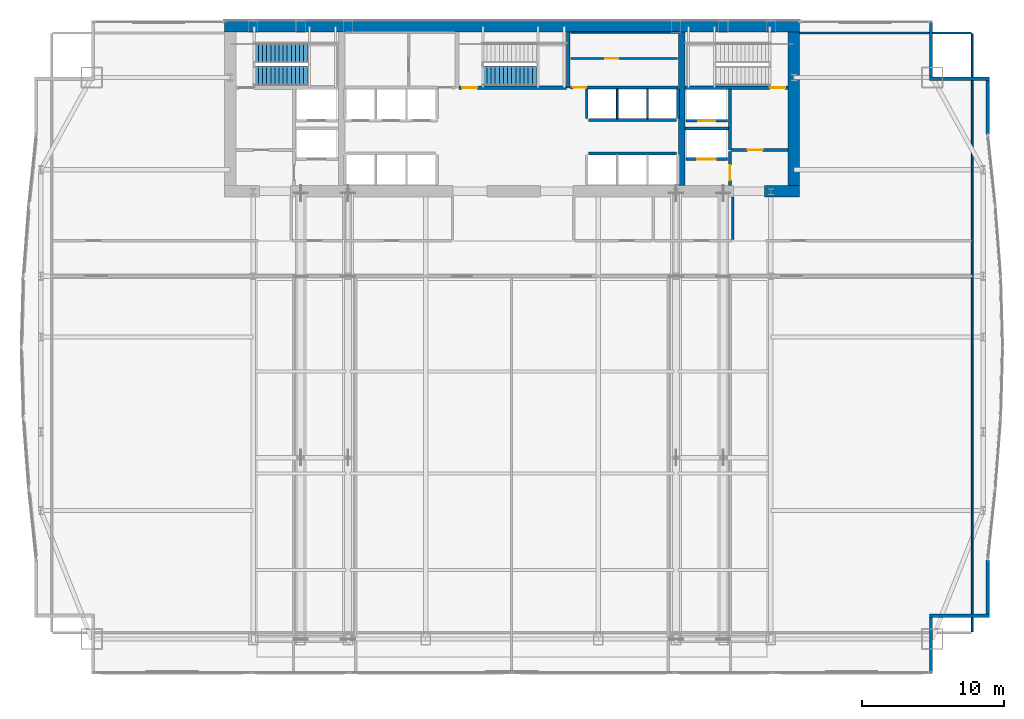
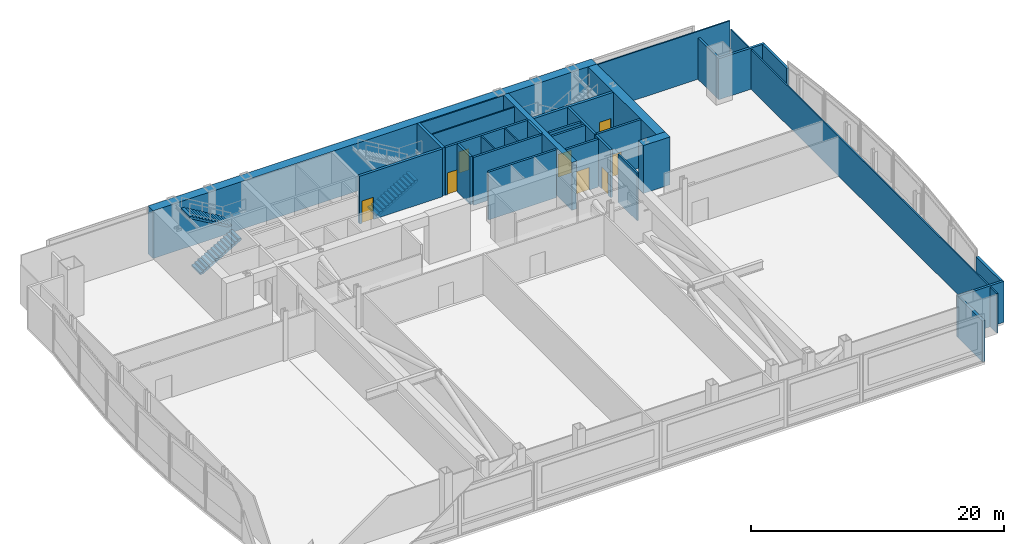
# One storey, part 28 of 32: 31 walls, 8 doors, 3 stair flights, 8 openings, 2 elements without a shape of their own.
"""IFC4 building model written with IfcOpenShell, lengths in metres."""

from ifc_helpers import new_model, si_unit, direction, frame, frame_2d, origin, place, context, subcontext, project, spatial, polyline, rectangle, outline, extrude, material, layer, layer_set, type_object, element, fill, aggregate, save


model = new_model("IFC4")

# Units and contexts
model_context = context("Model", 3, precision=1e-05, world=origin(), true_north=direction((0.0, 1.0)))
body_context = subcontext(model_context, "Body", "Model", "MODEL_VIEW")
ifc_project = project(units=[si_unit("LENGTHUNIT", "METRE"), si_unit("AREAUNIT", "SQUARE_METRE"), si_unit("VOLUMEUNIT", "CUBIC_METRE"), si_unit("PLANEANGLEUNIT", "RADIAN"), si_unit("MASSUNIT", "GRAM", prefix="KILO")], contexts=[model_context])

# Site, building, storey
site_placement = place(None, origin())
site = spatial("IfcSite", under=ifc_project, at=site_placement, CompositionType="ELEMENT")
building_placement = place(site_placement, origin())
building = spatial("IfcBuilding", under=site, at=building_placement, Name="Khoronbel Lancet Exchange", CompositionType="ELEMENT")
storey_placement = place(building_placement, frame((0.0, 0.0, 85.800048828125)))
storey = spatial("IfcBuildingStorey", under=building, at=storey_placement, Name="L20", CompositionType="ELEMENT", Elevation=85.800048828125)

# Walls
ifc_material_1 = material(Name="Concrete C80/95", Category="concrete")
ifc_layer_1 = layer(ifc_material_1, 0.800048828125, Name="Concrete C80/95")
ifc_layer_set_1 = layer_set([ifc_layer_1], Name="Concrete C80/95")
wall_type_1 = type_object("IfcWallType", Name="WL-CW1", PredefinedType="SHEAR", material=ifc_layer_set_1)
wall_1_placement = place(storey_placement, frame((16.199951171875, 53.300048828125, 0.0), z_axis=(0.0, 0.0, 1.0), x_axis=(1.0, 0.0, 0.0)))
element("IfcWall", 1, at=wall_1_placement, inside=storey, type_object=wall_type_1, Name="Level L20 rear core north shear wall", PredefinedType="SHEAR", context=body_context, shape_type="SweptSolid", body=[
    extrude(rectangle(XDim=40.5, YDim=0.800048828125, at=frame_2d((20.25, 0.0))), origin(), (0.0, 0.0, 1.0), 4.619873046875),
])
wall_2_placement = place(storey_placement, frame((56.300048828125, 52.89990234375, 0.0), z_axis=(0.0, 0.0, 1.0), x_axis=(0.0, -1.0, 0.0)))
element("IfcWall", 2, at=wall_2_placement, inside=storey, type_object=wall_type_1, Name="Level L20 rear core east shear wall", PredefinedType="SHEAR", context=body_context, shape_type="SweptSolid", body=[
    extrude(rectangle(XDim=10.7998046875, YDim=0.800048828125, at=frame_2d((5.39990234375, 0.0))), origin(), (0.0, 0.0, 1.0), 4.619873046875),
])
wall_3_placement = place(storey_placement, frame((56.699951171875, 41.699951171875, 0.0), z_axis=(0.0, 0.0, 1.0), x_axis=(-1.0, 0.0, 0.0)))
element("IfcWall", 3, at=wall_3_placement, inside=storey, type_object=wall_type_1, Name="Level L20 rear core south shear wall pier P5", PredefinedType="SHEAR", context=body_context, shape_type="SweptSolid", body=[
    extrude(rectangle(XDim=2.449951171875, YDim=0.800048828125, at=frame_2d((1.22509765625, 0.0))), origin(), (0.0, 0.0, 1.0), 4.619873046875),
])
ifc_material_2 = material(Name="Precast concrete C40/50", Category="concrete")
ifc_layer_2 = layer(ifc_material_2, 0.25, Name="Precast concrete C40/50")
ifc_layer_set_2 = layer_set([ifc_layer_2], Name="Precast concrete C40/50")
wall_type_2 = type_object("IfcWallType", Name="WL-EXT250", PredefinedType="SOLIDWALL", material=ifc_layer_set_2)
wall_4_placement = place(storey_placement, frame((65.9599609375, 53.6298828125, 0.0), z_axis=(0.0, 0.0, 1.0), x_axis=(0.0, -1.0, 0.0)))
element("IfcWall", 4, at=wall_4_placement, inside=storey, type_object=wall_type_2, Name="Level L20 notched-corner limestone pier 14", PredefinedType="SOLIDWALL", context=body_context, shape_type="SweptSolid", body=[
    extrude(rectangle(XDim=3.909912109375, YDim=0.219970703125, at=frame_2d((1.955078125, 0.0))), origin(), (0.0, 0.0, 1.0), 3.9599609375),
])
wall_5_placement = place(storey_placement, frame((65.85009765625, 49.610107421875, 0.0), z_axis=(0.0, 0.0, 1.0), x_axis=(1.0, 0.0, 0.0)))
element("IfcWall", 5, at=wall_5_placement, inside=storey, type_object=wall_type_2, Name="Level L20 notched-corner limestone pier 15", PredefinedType="SOLIDWALL", context=body_context, shape_type="SweptSolid", body=[
    extrude(rectangle(XDim=4.219970703125, YDim=0.219970703125, at=frame_2d((2.10986328125, 0.0))), origin(), (0.0, 0.0, 1.0), 3.9599609375),
])
for number, where, z_axis, x_axis, name in (
    (6, (69.9599609375, 49.5, 0.0), (0.0, 0.0, 1.0), (0.0, -1.0, 0.0), "Level L20 notched-corner limestone pier 16"),
    (7, (69.9599609375, 15.724609375, 0.0), (0.0, 0.0, 1.0), (0.0, -1.0, 0.0), "Level L20 notched-corner limestone pier 23"),
):
    element("IfcWall", number, at=place(storey_placement, frame(where, z_axis=z_axis, x_axis=x_axis)), inside=storey, type_object=wall_type_2, Name=name, PredefinedType="SOLIDWALL", context=body_context, shape_type="SweptSolid", body=[
        extrude(rectangle(XDim=3.82470703125, YDim=0.219970703125, at=frame_2d((1.912353515625, 0.0))), origin(), (0.0, 0.0, 1.0), 3.9599609375),
    ])
wall_6_placement = place(storey_placement, frame((70.070068359375, 11.7900390625, 0.0), z_axis=(0.0, 0.0, 1.0), x_axis=(-1.0, 0.0, 0.0)))
element("IfcWall", 8, at=wall_6_placement, inside=storey, type_object=wall_type_2, Name="Level L20 notched-corner limestone pier 24", PredefinedType="SOLIDWALL", context=body_context, shape_type="SweptSolid", body=[
    extrude(rectangle(XDim=4.219970703125, YDim=0.219970703125, at=frame_2d((2.10986328125, 0.0))), origin(), (0.0, 0.0, 1.0), 3.9599609375),
])
wall_7_placement = place(storey_placement, frame((65.9599609375, 11.679931640625, 0.0), z_axis=(0.0, 0.0, 1.0), x_axis=(0.0, -1.0, 0.0)))
element("IfcWall", 9, at=wall_7_placement, inside=storey, type_object=wall_type_2, Name="Level L20 notched-corner limestone pier 25", PredefinedType="SOLIDWALL", context=body_context, shape_type="SweptSolid", body=[
    extrude(rectangle(XDim=3.909912109375, YDim=0.219970703125, at=frame_2d((1.955078125, 0.0))), origin(), (0.0, 0.0, 1.0), 3.9599609375),
])
ifc_material_3 = material(Name="Acoustic Metal-Stud & Mineral-Wool Gypsum Partition 120 mm", Category="gypsum")
ifc_layer_3 = layer(ifc_material_3, 0.1201171875, Name="Acoustic Metal-Stud & Mineral-Wool Gypsum Partition 120 mm")
ifc_layer_set_3 = layer_set([ifc_layer_3], Name="Acoustic Metal-Stud & Mineral-Wool Gypsum Partition 120 mm")
wall_type_3 = type_object("IfcWallType", Name="WL-PRT120", PredefinedType="PARTITIONING", material=ifc_layer_set_3)
wall_8_placement = place(storey_placement, frame((52.0, 38.280029296875, 0.0), z_axis=(0.0, 0.0, 1.0), x_axis=(0.0, 1.0, 0.0)))
element("IfcWall", 10, at=wall_8_placement, inside=storey, type_object=wall_type_3, Name="Level L20 interior partition PW-RF-NE3", PredefinedType="PARTITIONING", context=body_context, shape_type="SweptSolid", body=[
    extrude(rectangle(XDim=3.02001953125, YDim=0.14990234375, at=frame_2d((1.510009765625, 0.0))), origin(), (0.0, 0.0, 1.0), 4.619873046875),
])
wall_9_placement = place(storey_placement, frame((68.8701171875, 10.6650390625, 0.0), z_axis=(0.0, 0.0, 1.0), x_axis=(0.0, 1.0, 0.0)))
element("IfcWall", 11, at=wall_9_placement, inside=storey, type_object=wall_type_3, Name="Level L20 interior partition PW-LIN-E", PredefinedType="PARTITIONING", context=body_context, shape_type="SweptSolid", body=[
    extrude(rectangle(XDim=42.10986328125, YDim=0.1201171875, at=frame_2d((21.054931640625, 0.0))), origin(), (0.0, 0.0, 1.0), 3.81005859375),
])
wall_10_placement = place(storey_placement, frame((56.699951171875, 52.840087890625, 0.0), z_axis=(0.0, 0.0, 1.0), x_axis=(1.0, 0.0, 0.0)))
element("IfcWall", 12, at=wall_10_placement, inside=storey, type_object=wall_type_3, Name="Level L20 interior partition PW-LIN-NE", PredefinedType="PARTITIONING", context=body_context, shape_type="SweptSolid", body=[
    extrude(rectangle(XDim=12.10498046875, YDim=0.1201171875, at=frame_2d((6.052490234375, 0.0))), origin(), (0.0, 0.0, 1.0), 4.619873046875),
])
ifc_material_4 = material(Name="Fire-Rated Metal-Stud & Mineral-Wool Gypsum Partition 120 mm", Category="gypsum")
ifc_layer_4 = layer(ifc_material_4, 0.1201171875, Name="Fire-Rated Metal-Stud & Mineral-Wool Gypsum Partition 120 mm")
ifc_layer_set_4 = layer_set([ifc_layer_4], Name="Fire-Rated Metal-Stud & Mineral-Wool Gypsum Partition 120 mm")
wall_type_4 = type_object("IfcWallType", Name="WL-PRT120F", PredefinedType="PARTITIONING", material=ifc_layer_set_4)
for number, where, z_axis, x_axis, name in (
    (13, (43.860107421875, 46.804931640625, 0.0), (0.0, 0.0, 1.0), (0.0, 1.0, 0.0), "Level L20 interior partition CW-PH-D1"),
    (14, (46.0, 46.804931640625, 0.0), (0.0, 0.0, 1.0), (0.0, 1.0, 0.0), "Level L20 interior partition CW-PH-D2"),
):
    element("IfcWall", number, at=place(storey_placement, frame(where, z_axis=z_axis, x_axis=x_axis)), inside=storey, type_object=wall_type_4, Name=name, PredefinedType="PARTITIONING", context=body_context, shape_type="SweptSolid", body=[
        extrude(rectangle(XDim=2.090087890625, YDim=0.1201171875, at=frame_2d((1.044921875, 0.0))), origin(), (0.0, 0.0, 1.0), 4.619873046875),
    ])
wall_11_placement = place(storey_placement, frame((40.580078125, 52.860107421875, 0.0), z_axis=(0.0, 0.0, 1.0), x_axis=(1.0, 0.0, 0.0)))
element("IfcWall", 15, at=wall_11_placement, inside=storey, type_object=wall_type_4, Name="Level L20 interior partition CW-SUP-NE-N", PredefinedType="PARTITIONING", context=body_context, shape_type="SweptSolid", body=[
    extrude(rectangle(XDim=7.559814453125, YDim=0.1201171875, at=frame_2d((3.77978515625, 0.0))), origin(), (0.0, 0.0, 1.0), 4.619873046875),
])

# Wall, opening, door
wall_12_placement = place(storey_placement, frame((40.6298828125, 51.0400390625, 0.0), z_axis=(0.0, 0.0, 1.0), x_axis=(1.0, 0.0, 0.0)))
wall_12 = element("IfcWall", 16, at=wall_12_placement, inside=storey, type_object=wall_type_4, Name="Level L20 interior partition CW-SUP-NE-H", PredefinedType="PARTITIONING", context=body_context, shape_type="SweptSolid", body=[
    extrude(rectangle(XDim=7.460205078125, YDim=0.1201171875, at=frame_2d((3.72998046875, 0.0))), origin(), (0.0, 0.0, 1.0), 4.619873046875),
])
opening_1_placement = place(wall_12_placement, frame((2.39990234375, 0.0, 0.0)))
opening_1 = element("IfcOpeningElement", 17, at=opening_1_placement, cuts=wall_12, Name="Opening FD4", PredefinedType="OPENING", context=body_context, shape_type="SweptSolid", body=[
    extrude(rectangle(XDim=0.89990234375, YDim=2.050048828125, at=frame_2d((0.449951171875, 1.02490234375))), frame((0.0, 0.070068359375, 0.0), z_axis=(0.0, -1.0, 0.0), x_axis=(1.0, 0.0, 0.0)), (0.0, 0.0, 1.0), 0.14013671875),
])
ifc_material_5 = material(Name="Fire-Rated Steel Core Support Door Assembly", Category="steel")
door_type_1 = type_object("IfcDoorType", Name="DR-FD4", OperationType="NOTDEFINED", PredefinedType="DOOR", material=ifc_material_5)
door_1_placement = place(opening_1_placement, origin())
door_1 = element("IfcDoor", 18, at=door_1_placement, inside=storey, type_object=door_type_1, Name="Core NE north store door L20-1", OperationType="SINGLE_SWING_LEFT", OverallHeight=2.050048828125, OverallWidth=0.89990234375, PredefinedType="DOOR", context=body_context, shape_type="SweptSolid", body=[
    extrude(rectangle(XDim=0.89990234375, YDim=2.050048828125, at=frame_2d((0.449951171875, 1.02490234375))), frame((0.0, 0.02490234375, 0.0), z_axis=(0.0, -1.0, 0.0), x_axis=(1.0, 0.0, 0.0)), (0.0, 0.0, 1.0), 0.050048828125),
])
fill(opening_1, door_1)

ifc_material_6 = material(Name="Autoclaved Aerated Concrete Blockwork 200 mm", Category="masonry")
ifc_layer_5 = layer(ifc_material_6, 0.199951171875, Name="Autoclaved Aerated Concrete Blockwork 200 mm")
ifc_layer_set_5 = layer_set([ifc_layer_5], Name="Autoclaved Aerated Concrete Blockwork 200 mm")
wall_type_5 = type_object("IfcWallType", Name="WL-PRT200", PredefinedType="PARTITIONING", material=ifc_layer_set_5)
wall_13_placement = place(storey_placement, frame((51.610107421875, 43.949951171875, 0.0), z_axis=(0.0, 0.0, 1.0), x_axis=(-1.0, 0.0, 0.0)))
wall_13 = element("IfcWall", 19, at=wall_13_placement, inside=storey, type_object=wall_type_5, Name="Level L20 elevator hoistway landing front wall SVLE", PredefinedType="PARTITIONING", context=body_context, shape_type="SweptSolid", body=[
    extrude(rectangle(XDim=2.920166015625, YDim=0.199951171875, at=frame_2d((1.4599609375, 0.0))), origin(), (0.0, 0.0, 1.0), 4.619873046875),
])
opening_2_placement = place(wall_13_placement, frame((0.81005859375, 0.0, 0.0)))
opening_2 = element("IfcOpeningElement", 20, at=opening_2_placement, cuts=wall_13, Name="Opening LD-SVL2", PredefinedType="OPENING", context=body_context, shape_type="SweptSolid", body=[
    extrude(rectangle(XDim=1.300048828125, YDim=2.179931640625, at=frame_2d((0.64990234375, 1.08984375))), frame((0.0, 0.10986328125, 0.0), z_axis=(0.0, -1.0, 0.0), x_axis=(1.0, 0.0, 0.0)), (0.0, 0.0, 1.0), 0.219970703125),
])
ifc_material_7 = material(Name="Heavy-Duty Bi-Parting Goods Lift Landing Door", Category="steel")
door_type_2 = type_object("IfcDoorType", Name="DR-LD-SVL", OperationType="NOTDEFINED", PredefinedType="DOOR", material=ifc_material_7)
door_2_placement = place(opening_2_placement, origin())
door_2 = element("IfcDoor", 21, at=door_2_placement, inside=storey, type_object=door_type_2, Name="Elevator landing sliding door LD-SVL2 L20", OperationType="SLIDING_TO_LEFT", OverallHeight=2.179931640625, OverallWidth=1.300048828125, PredefinedType="DOOR", context=body_context, shape_type="SweptSolid", body=[
    extrude(rectangle(XDim=1.300048828125, YDim=2.179931640625, at=frame_2d((0.64990234375, 1.08984375))), frame((0.0, 0.02490234375, 0.0), z_axis=(0.0, -1.0, 0.0), x_axis=(1.0, 0.0, 0.0)), (0.0, 0.0, 1.0), 0.050048828125),
])
fill(opening_2, door_2)

wall_14_placement = place(storey_placement, frame((51.610107421875, 46.64990234375, 0.0), z_axis=(0.0, 0.0, 1.0), x_axis=(-1.0, 0.0, 0.0)))
wall_14 = element("IfcWall", 22, at=wall_14_placement, inside=storey, type_object=wall_type_5, Name="Level L20 elevator hoistway landing front wall FFLE", PredefinedType="PARTITIONING", context=body_context, shape_type="SweptSolid", body=[
    extrude(rectangle(XDim=2.920166015625, YDim=0.199951171875, at=frame_2d((1.4599609375, 0.0))), origin(), (0.0, 0.0, 1.0), 4.619873046875),
])
opening_3_placement = place(wall_14_placement, frame((0.860107421875, 0.0, 0.0)))
opening_3 = element("IfcOpeningElement", 23, at=opening_3_placement, cuts=wall_14, Name="Opening LD-FFL2", PredefinedType="OPENING", context=body_context, shape_type="SweptSolid", body=[
    extrude(rectangle(XDim=1.199951171875, YDim=2.179931640625, at=frame_2d((0.60009765625, 1.08984375))), frame((0.0, 0.10986328125, 0.0), z_axis=(0.0, -1.0, 0.0), x_axis=(1.0, 0.0, 0.0)), (0.0, 0.0, 1.0), 0.219970703125),
])
ifc_material_8 = material(Name="Fire-Rated Stainless Bi-Parting Firefighting Lift Door", Category="steel")
door_type_3 = type_object("IfcDoorType", Name="DR-LD-FFL", OperationType="NOTDEFINED", PredefinedType="DOOR", material=ifc_material_8)
door_3_placement = place(opening_3_placement, origin())
door_3 = element("IfcDoor", 24, at=door_3_placement, inside=storey, type_object=door_type_3, Name="Elevator landing sliding door LD-FFL2 L20", OperationType="SLIDING_TO_LEFT", OverallHeight=2.179931640625, OverallWidth=1.199951171875, PredefinedType="DOOR", context=body_context, shape_type="SweptSolid", body=[
    extrude(rectangle(XDim=1.199951171875, YDim=2.179931640625, at=frame_2d((0.60009765625, 1.08984375))), frame((0.0, 0.02490234375, 0.0), z_axis=(0.0, -1.0, 0.0), x_axis=(1.0, 0.0, 0.0)), (0.0, 0.0, 1.0), 0.050048828125),
])
fill(opening_3, door_3)

# Wall
wall_15_placement = place(storey_placement, frame((51.800048828125, 44.60009765625, 0.0), z_axis=(0.0, 0.0, 1.0), x_axis=(0.0, 1.0, 0.0)))
element("IfcWall", 25, at=wall_15_placement, inside=storey, type_object=wall_type_5, Name="Level L20 interior partition CW-FFLE-W", PredefinedType="PARTITIONING", context=body_context, shape_type="SweptSolid", body=[
    extrude(rectangle(XDim=4.2998046875, YDim=0.199951171875, at=frame_2d((2.14990234375, 0.0))), origin(), (0.0, 0.0, 1.0), 4.619873046875),
])

# Wall, opening, door
wall_16_placement = place(storey_placement, frame((51.89990234375, 44.60009765625, 0.0), z_axis=(0.0, 0.0, 1.0), x_axis=(1.0, 0.0, 0.0)))
wall_16 = element("IfcWall", 26, at=wall_16_placement, inside=storey, type_object=wall_type_5, Name="Level L20 interior partition CW-FFLE-S", PredefinedType="PARTITIONING", context=body_context, shape_type="SweptSolid", body=[
    extrude(rectangle(XDim=4.0, YDim=0.199951171875, at=frame_2d((2.0, 0.0))), origin(), (0.0, 0.0, 1.0), 4.619873046875),
])
opening_4_placement = place(wall_16_placement, frame((1.14990234375, 0.0, 0.0)))
opening_4 = element("IfcOpeningElement", 27, at=opening_4_placement, cuts=wall_16, Name="Opening FD1", PredefinedType="OPENING", context=body_context, shape_type="SweptSolid", body=[
    extrude(rectangle(XDim=1.050048828125, YDim=2.14990234375, at=frame_2d((0.52490234375, 1.074951171875))), frame((0.0, 0.10986328125, 0.0), z_axis=(0.0, -1.0, 0.0), x_axis=(1.0, 0.0, 0.0)), (0.0, 0.0, 1.0), 0.219970703125),
])
ifc_material_9 = material(Name="Fire-Rated Painted Steel Door Assembly", Category="steel")
door_type_4 = type_object("IfcDoorType", Name="DR-FD1", OperationType="NOTDEFINED", PredefinedType="DOOR", material=ifc_material_9)
door_4_placement = place(opening_4_placement, origin())
door_4 = element("IfcDoor", 28, at=door_4_placement, inside=storey, type_object=door_type_4, Name="East firefighting lobby FD90S door L20-1", OperationType="SINGLE_SWING_RIGHT", OverallHeight=2.14990234375, OverallWidth=1.050048828125, PredefinedType="DOOR", context=body_context, shape_type="SweptSolid", body=[
    extrude(rectangle(XDim=1.050048828125, YDim=2.14990234375, at=frame_2d((0.52490234375, 1.074951171875))), frame((0.0, 0.02490234375, 0.0), z_axis=(0.0, -1.0, 0.0), x_axis=(1.0, 0.0, 0.0)), (0.0, 0.0, 1.0), 0.050048828125),
])
fill(opening_4, door_4)

# Wall
wall_17_placement = place(storey_placement, frame((48.6298828125, 46.1201171875, 0.0), z_axis=(0.0, 0.0, 1.0), x_axis=(1.0, 0.0, 0.0)))
element("IfcWall", 29, at=wall_17_placement, inside=storey, type_object=wall_type_5, Name="Level L20 interior partition CW-FFL2-S", PredefinedType="PARTITIONING", context=body_context, shape_type="SweptSolid", body=[
    extrude(rectangle(XDim=3.070068359375, YDim=0.199951171875, at=frame_2d((1.53515625, 0.0))), origin(), (0.0, 0.0, 1.0), 4.619873046875),
])

# Wall, opening, door
wall_18_placement = place(storey_placement, frame((51.800048828125, 42.10009765625, 0.0), z_axis=(0.0, 0.0, 1.0), x_axis=(0.0, 1.0, 0.0)))
wall_18 = element("IfcWall", 30, at=wall_18_placement, inside=storey, type_object=wall_type_5, Name="Level L20 interior partition CW-SVLE-E", PredefinedType="PARTITIONING", context=body_context, shape_type="SweptSolid", body=[
    extrude(rectangle(XDim=2.39501953125, YDim=0.199951171875, at=frame_2d((1.197509765625, 0.0))), origin(), (0.0, 0.0, 1.0), 4.619873046875),
])
opening_5_placement = place(wall_18_placement, frame((0.3798828125, 0.0, 0.0)))
opening_5 = element("IfcOpeningElement", 31, at=opening_5_placement, cuts=wall_18, Name="Opening FD1", PredefinedType="OPENING", context=body_context, shape_type="SweptSolid", body=[
    extrude(rectangle(XDim=1.050048828125, YDim=2.14990234375, at=frame_2d((0.52490234375, 1.074951171875))), frame((0.0, 0.10986328125, 0.0), z_axis=(0.0, -1.0, 0.0), x_axis=(1.0, 0.0, 0.0)), (0.0, 0.0, 1.0), 0.219970703125),
])
door_5_placement = place(opening_5_placement, origin())
door_5 = element("IfcDoor", 32, at=door_5_placement, inside=storey, type_object=door_type_4, Name="East service lift lobby door L20-1", OperationType="SINGLE_SWING_LEFT", OverallHeight=2.14990234375, OverallWidth=1.050048828125, PredefinedType="DOOR", context=body_context, shape_type="SweptSolid", body=[
    extrude(rectangle(XDim=1.050048828125, YDim=2.14990234375, at=frame_2d((0.52490234375, 1.074951171875))), frame((0.0, 0.02490234375, 0.0), z_axis=(0.0, -1.0, 0.0), x_axis=(1.0, 0.0, 0.0)), (0.0, 0.0, 1.0), 0.050048828125),
])
fill(opening_5, door_5)

# Walls
wall_19_placement = place(storey_placement, frame((41.824951171875, 46.699951171875, 0.0), z_axis=(0.0, 0.0, 1.0), x_axis=(1.0, 0.0, 0.0)))
element("IfcWall", 33, at=wall_19_placement, inside=storey, type_object=wall_type_5, Name="Level L20 interior partition CW-PH-EXP", PredefinedType="PARTITIONING", context=body_context, shape_type="SweptSolid", body=[
    extrude(rectangle(XDim=6.2099609375, YDim=0.199951171875, at=frame_2d((3.10498046875, 0.0))), origin(), (0.0, 0.0, 1.0), 4.619873046875),
])
for number, where, z_axis, x_axis, name in (
    (34, (41.719970703125, 46.804931640625, 0.0), (0.0, 0.0, 1.0), (0.0, 1.0, 0.0), "Level L20 interior partition CW-PH-W"),
    (35, (48.139892578125, 46.804931640625, 0.0), (0.0, 0.0, 1.0), (0.0, 1.0, 0.0), "Level L20 interior partition CW-PH-E"),
):
    element("IfcWall", number, at=place(storey_placement, frame(where, z_axis=z_axis, x_axis=x_axis)), inside=storey, type_object=wall_type_5, Name=name, PredefinedType="PARTITIONING", context=body_context, shape_type="SweptSolid", body=[
        extrude(rectangle(XDim=2.090087890625, YDim=0.199951171875, at=frame_2d((1.044921875, 0.0))), origin(), (0.0, 0.0, 1.0), 4.619873046875),
    ])
wall_20_placement = place(storey_placement, frame((41.824951171875, 44.35009765625, 0.0), z_axis=(0.0, 0.0, 1.0), x_axis=(1.0, 0.0, 0.0)))
element("IfcWall", 36, at=wall_20_placement, inside=storey, type_object=wall_type_5, Name="Level L20 interior partition CW-PX-EXP", PredefinedType="PARTITIONING", context=body_context, shape_type="SweptSolid", body=[
    extrude(rectangle(XDim=6.2099609375, YDim=0.199951171875, at=frame_2d((3.10498046875, 0.0))), origin(), (0.0, 0.0, 1.0), 4.619873046875),
])

# Wall, opening, door
wall_21_placement = place(storey_placement, frame((40.580078125, 49.0, 0.0), z_axis=(0.0, 0.0, 1.0), x_axis=(1.0, 0.0, 0.0)))
wall_21 = element("IfcWall", 37, at=wall_21_placement, inside=storey, type_object=wall_type_5, Name="Level L20 interior partition CW-SUP-NE-S", PredefinedType="PARTITIONING", context=body_context, shape_type="SweptSolid", body=[
    extrude(rectangle(XDim=7.559814453125, YDim=0.199951171875, at=frame_2d((3.77978515625, 0.0))), origin(), (0.0, 0.0, 1.0), 4.619873046875),
])
opening_6_placement = place(wall_21_placement, frame((0.159912109375, 0.0, 0.0)))
opening_6 = element("IfcOpeningElement", 38, at=opening_6_placement, cuts=wall_21, Name="Opening FD3", PredefinedType="OPENING", context=body_context, shape_type="SweptSolid", body=[
    extrude(rectangle(XDim=0.949951171875, YDim=2.10009765625, at=frame_2d((0.47509765625, 1.050048828125))), frame((0.0, 0.10986328125, 0.0), z_axis=(0.0, -1.0, 0.0), x_axis=(1.0, 0.0, 0.0)), (0.0, 0.0, 1.0), 0.219970703125),
])
ifc_material_10 = material(Name="Fire-Rated Steel Plant & Riser Door Assembly", Category="steel")
door_type_5 = type_object("IfcDoorType", Name="DR-FD3", OperationType="NOTDEFINED", PredefinedType="DOOR", material=ifc_material_10)
door_6_placement = place(opening_6_placement, origin())
door_6 = element("IfcDoor", 39, at=door_6_placement, inside=storey, type_object=door_type_5, Name="Core NE support room door L20-1", OperationType="SINGLE_SWING_RIGHT", OverallHeight=2.10009765625, OverallWidth=0.949951171875, PredefinedType="DOOR", context=body_context, shape_type="SweptSolid", body=[
    extrude(rectangle(XDim=0.949951171875, YDim=2.10009765625, at=frame_2d((0.47509765625, 1.050048828125))), frame((0.0, 0.02490234375, 0.0), z_axis=(0.0, -1.0, 0.0), x_axis=(1.0, 0.0, 0.0)), (0.0, 0.0, 1.0), 0.050048828125),
])
fill(opening_6, door_6)

# Walls
ifc_layer_6 = layer(ifc_material_1, 0.449951171875, Name="Concrete C80/95")
ifc_layer_set_6 = layer_set([ifc_layer_6], Name="Concrete C80/95")
wall_type_6 = type_object("IfcWallType", Name="WL-SW1", PredefinedType="SHEAR", material=ifc_layer_set_6)
wall_22_placement = place(storey_placement, frame((48.39990234375, 42.10009765625, 0.0), z_axis=(0.0, 0.0, 1.0), x_axis=(0.0, 1.0, 0.0)))
element("IfcWall", 40, at=wall_22_placement, inside=storey, type_object=wall_type_6, Name="Level L20 rear core internal spine shear wall IE", PredefinedType="SHEAR", context=body_context, shape_type="SweptSolid", body=[
    extrude(rectangle(XDim=10.7998046875, YDim=0.449951171875, at=frame_2d((5.39990234375, 0.0))), origin(), (0.0, 0.0, 1.0), 4.619873046875),
])
ifc_material_11 = material(Name="Concrete C60/75", Category="concrete")
ifc_layer_7 = layer(ifc_material_11, 0.260009765625, Name="Concrete C60/75")
ifc_layer_set_7 = layer_set([ifc_layer_7], Name="Concrete C60/75")
wall_type_7 = type_object("IfcWallType", Name="WL-SW3", PredefinedType="SHEAR", material=ifc_layer_set_7)
wall_23_placement = place(storey_placement, frame((40.419921875, 48.949951171875, 0.0), z_axis=(0.0, 0.0, 1.0), x_axis=(0.0, 1.0, 0.0)))
element("IfcWall", 41, at=wall_23_placement, inside=storey, type_object=wall_type_7, Name="Level L20 central stairwell structural shear wall ST3E", PredefinedType="SHEAR", context=body_context, shape_type="SweptSolid", body=[
    extrude(rectangle(XDim=3.949951171875, YDim=0.260009765625, at=frame_2d((1.97509765625, 0.0))), origin(), (0.0, 0.0, 1.0), 4.619873046875),
])

# Wall, opening, door
wall_24_placement = place(storey_placement, frame((48.6298828125, 48.97998046875, 0.0), z_axis=(0.0, 0.0, 1.0), x_axis=(1.0, 0.0, 0.0)))
wall_24 = element("IfcWall", 42, at=wall_24_placement, inside=storey, type_object=wall_type_7, Name="Level L20 east stairwell structural south wall", PredefinedType="SHEAR", context=body_context, shape_type="SweptSolid", body=[
    extrude(rectangle(XDim=7.27001953125, YDim=0.239990234375, at=frame_2d((3.635009765625, 0.0))), origin(), (0.0, 0.0, 1.0), 4.619873046875),
])
opening_7_placement = place(wall_24_placement, frame((6.0, 0.0, 0.0)))
opening_7 = element("IfcOpeningElement", 43, at=opening_7_placement, cuts=wall_24, Name="Opening SD1", PredefinedType="OPENING", context=body_context, shape_type="SweptSolid", body=[
    extrude(rectangle(XDim=1.050048828125, YDim=2.14990234375, at=frame_2d((0.52490234375, 1.074951171875))), frame((0.0, 0.1298828125, 0.0), z_axis=(0.0, -1.0, 0.0), x_axis=(1.0, 0.0, 0.0)), (0.0, 0.0, 1.0), 0.260009765625),
])
ifc_material_12 = material(Name="Fire-Rated Steel Stairwell Door Assembly", Category="steel")
door_type_6 = type_object("IfcDoorType", Name="DR-SD1", OperationType="NOTDEFINED", PredefinedType="DOOR", material=ifc_material_12)
door_7_placement = place(opening_7_placement, origin())
door_7 = element("IfcDoor", 44, at=door_7_placement, inside=storey, type_object=door_type_6, Name="Protected exit stair ST2 door L20", OperationType="SINGLE_SWING_RIGHT", OverallHeight=2.14990234375, OverallWidth=1.050048828125, PredefinedType="DOOR", context=body_context, shape_type="SweptSolid", body=[
    extrude(rectangle(XDim=1.050048828125, YDim=2.14990234375, at=frame_2d((0.52490234375, 1.074951171875))), frame((0.0, 0.02490234375, 0.0), z_axis=(0.0, -1.0, 0.0), x_axis=(1.0, 0.0, 0.0)), (0.0, 0.0, 1.0), 0.050048828125),
])
fill(opening_7, door_7)

wall_25_placement = place(storey_placement, frame((32.719970703125, 48.97998046875, 0.0), z_axis=(0.0, 0.0, 1.0), x_axis=(1.0, 0.0, 0.0)))
wall_25 = element("IfcWall", 45, at=wall_25_placement, inside=storey, type_object=wall_type_7, Name="Level L20 central stairwell structural south wall", PredefinedType="SHEAR", context=body_context, shape_type="SweptSolid", body=[
    extrude(rectangle(XDim=7.56005859375, YDim=0.239990234375, at=frame_2d((3.780029296875, 0.0))), origin(), (0.0, 0.0, 1.0), 4.619873046875),
])
opening_8_placement = place(wall_25_placement, frame((0.219970703125, 0.0, 0.0)))
opening_8 = element("IfcOpeningElement", 46, at=opening_8_placement, cuts=wall_25, Name="Opening SD1", PredefinedType="OPENING", context=body_context, shape_type="SweptSolid", body=[
    extrude(rectangle(XDim=1.050048828125, YDim=2.14990234375, at=frame_2d((0.52490234375, 1.074951171875))), frame((0.0, 0.1298828125, 0.0), z_axis=(0.0, -1.0, 0.0), x_axis=(1.0, 0.0, 0.0)), (0.0, 0.0, 1.0), 0.260009765625),
])
door_8_placement = place(opening_8_placement, origin())
door_8 = element("IfcDoor", 47, at=door_8_placement, inside=storey, type_object=door_type_6, Name="Protected exit stair ST3 door L20", OperationType="SINGLE_SWING_LEFT", OverallHeight=2.14990234375, OverallWidth=1.050048828125, PredefinedType="DOOR", context=body_context, shape_type="SweptSolid", body=[
    extrude(rectangle(XDim=1.050048828125, YDim=2.14990234375, at=frame_2d((0.52490234375, 1.074951171875))), frame((0.0, 0.02490234375, 0.0), z_axis=(0.0, -1.0, 0.0), x_axis=(1.0, 0.0, 0.0)), (0.0, 0.0, 1.0), 0.050048828125),
])
fill(opening_8, door_8)

# Stair, stair flights
ifc_material_13 = material(Name="Concrete C40/50", Category="concrete")
stair_type = type_object("IfcStairType", Name="STR-CORE150", PredefinedType="HALF_TURN_STAIR", material=ifc_material_13)
stair_1_placement = place(storey_placement, origin())
stair_1 = element("IfcStair", 48, at=stair_1_placement, inside=storey, type_object=stair_type, Name="L20 Protected Exit Stair ST1", PredefinedType="HALF_TURN_STAIR")
stair_flight_type = type_object("IfcStairFlightType", Name="STF-150", PredefinedType="STRAIGHT", material=ifc_material_13)
stair_flight_1_placement = place(storey_placement, frame((18.300048828125, 49.81005859375, 0.0), z_axis=(0.0, 0.0, 1.0), x_axis=(1.0, 0.0, 0.0)))
stair_flight_1 = element("IfcStairFlight", 49, at=stair_flight_1_placement, type_object=stair_flight_type, Name="ST1 flight 1", NumberOfRisers=14, NumberOfTreads=13, PredefinedType="STRAIGHT", RiserHeight=0.171428571, TreadLength=0.29, context=body_context, shape_type="SweptSolid", body=[
    extrude(outline(polyline([(0.0, 0.0), (0.0, 0.17138671875), (0.2900390625, 0.17138671875), (0.2900390625, 0.3427734375), (0.580078125, 0.3427734375), (0.580078125, 0.514404296875), (0.8701171875, 0.514404296875), (0.8701171875, 0.685791015625), (1.159912109375, 0.685791015625), (1.159912109375, 0.857177734375), (1.449951171875, 0.857177734375), (1.449951171875, 1.028564453125), (1.739990234375, 1.028564453125), (1.739990234375, 1.199951171875), (2.030029296875, 1.199951171875), (2.030029296875, 1.371337890625), (2.320068359375, 1.371337890625), (2.320068359375, 1.54296875), (2.610107421875, 1.54296875), (2.610107421875, 1.71435546875), (2.89990234375, 1.71435546875), (2.89990234375, 1.8857421875), (3.18994140625, 1.8857421875), (3.18994140625, 2.05712890625), (3.47998046875, 2.05712890625), (3.47998046875, 2.228515625), (3.77001953125, 2.228515625), (3.77001953125, 2.39990234375), (3.77001953125, 2.054443359375), (0.294677734375, 0.0), (0.0, 0.0)])), frame((0.0, 0.68994140625, 0.0), z_axis=(0.0, -1.0, 0.0), x_axis=(1.0, 0.0, 0.0)), (0.0, 0.0, 1.0), 1.3798828125),
])
stair_flight_2_placement = place(storey_placement, frame((22.070068359375, 51.409912109375, 2.39990234375), z_axis=(0.0, 0.0, 1.0), x_axis=(-1.0, 0.0, 0.0)))
stair_flight_2 = element("IfcStairFlight", 50, at=stair_flight_2_placement, type_object=stair_flight_type, Name="ST1 flight 2", NumberOfRisers=14, NumberOfTreads=13, PredefinedType="STRAIGHT", RiserHeight=0.171428571, TreadLength=0.29, context=body_context, shape_type="SweptSolid", body=[
    extrude(outline(polyline([(0.0, 0.0), (0.0, 0.17138671875), (0.2900390625, 0.17138671875), (0.2900390625, 0.3427734375), (0.580078125, 0.3427734375), (0.580078125, 0.514404296875), (0.8701171875, 0.514404296875), (0.8701171875, 0.685791015625), (1.159912109375, 0.685791015625), (1.159912109375, 0.857177734375), (1.449951171875, 0.857177734375), (1.449951171875, 1.028564453125), (1.739990234375, 1.028564453125), (1.739990234375, 1.199951171875), (2.030029296875, 1.199951171875), (2.030029296875, 1.371337890625), (2.320068359375, 1.371337890625), (2.320068359375, 1.54296875), (2.610107421875, 1.54296875), (2.610107421875, 1.71435546875), (2.89990234375, 1.71435546875), (2.89990234375, 1.8857421875), (3.18994140625, 1.8857421875), (3.18994140625, 2.05712890625), (3.47998046875, 2.05712890625), (3.47998046875, 2.228515625), (3.77001953125, 2.228515625), (3.77001953125, 2.39990234375), (3.77001953125, 2.054443359375), (0.294677734375, 0.0), (0.0, 0.0)])), frame((0.0, 0.68994140625, 0.0), z_axis=(0.0, -1.0, 0.0), x_axis=(1.0, 0.0, 0.0)), (0.0, 0.0, 1.0), 1.3798828125),
])
aggregate(stair_1, [stair_flight_1, stair_flight_2])

# Stair, stair flight
stair_2_placement = place(storey_placement, origin())
stair_2 = element("IfcStair", 51, at=stair_2_placement, inside=storey, type_object=stair_type, Name="L20 Protected Exit Stair ST3", PredefinedType="HALF_TURN_STAIR")
stair_flight_3_placement = place(storey_placement, frame((34.39990234375, 49.81005859375, 0.0), z_axis=(0.0, 0.0, 1.0), x_axis=(1.0, 0.0, 0.0)))
stair_flight_3 = element("IfcStairFlight", 52, at=stair_flight_3_placement, type_object=stair_flight_type, Name="ST3 flight 1", NumberOfRisers=14, NumberOfTreads=13, PredefinedType="STRAIGHT", RiserHeight=0.171428571, TreadLength=0.29, context=body_context, shape_type="SweptSolid", body=[
    extrude(outline(polyline([(0.0, 0.0), (0.0, 0.17138671875), (0.2900390625, 0.17138671875), (0.2900390625, 0.3427734375), (0.580078125, 0.3427734375), (0.580078125, 0.514404296875), (0.8701171875, 0.514404296875), (0.8701171875, 0.685791015625), (1.159912109375, 0.685791015625), (1.159912109375, 0.857177734375), (1.449951171875, 0.857177734375), (1.449951171875, 1.028564453125), (1.739990234375, 1.028564453125), (1.739990234375, 1.199951171875), (2.030029296875, 1.199951171875), (2.030029296875, 1.371337890625), (2.320068359375, 1.371337890625), (2.320068359375, 1.54296875), (2.610107421875, 1.54296875), (2.610107421875, 1.71435546875), (2.89990234375, 1.71435546875), (2.89990234375, 1.8857421875), (3.18994140625, 1.8857421875), (3.18994140625, 2.05712890625), (3.47998046875, 2.05712890625), (3.47998046875, 2.228515625), (3.77001953125, 2.228515625), (3.77001953125, 2.39990234375), (3.77001953125, 2.054443359375), (0.294677734375, 0.0), (0.0, 0.0)])), frame((0.0, 0.68994140625, 0.0), z_axis=(0.0, -1.0, 0.0), x_axis=(1.0, 0.0, 0.0)), (0.0, 0.0, 1.0), 1.3798828125),
])
aggregate(stair_2, [stair_flight_3])

save(model, "model.ifc")
